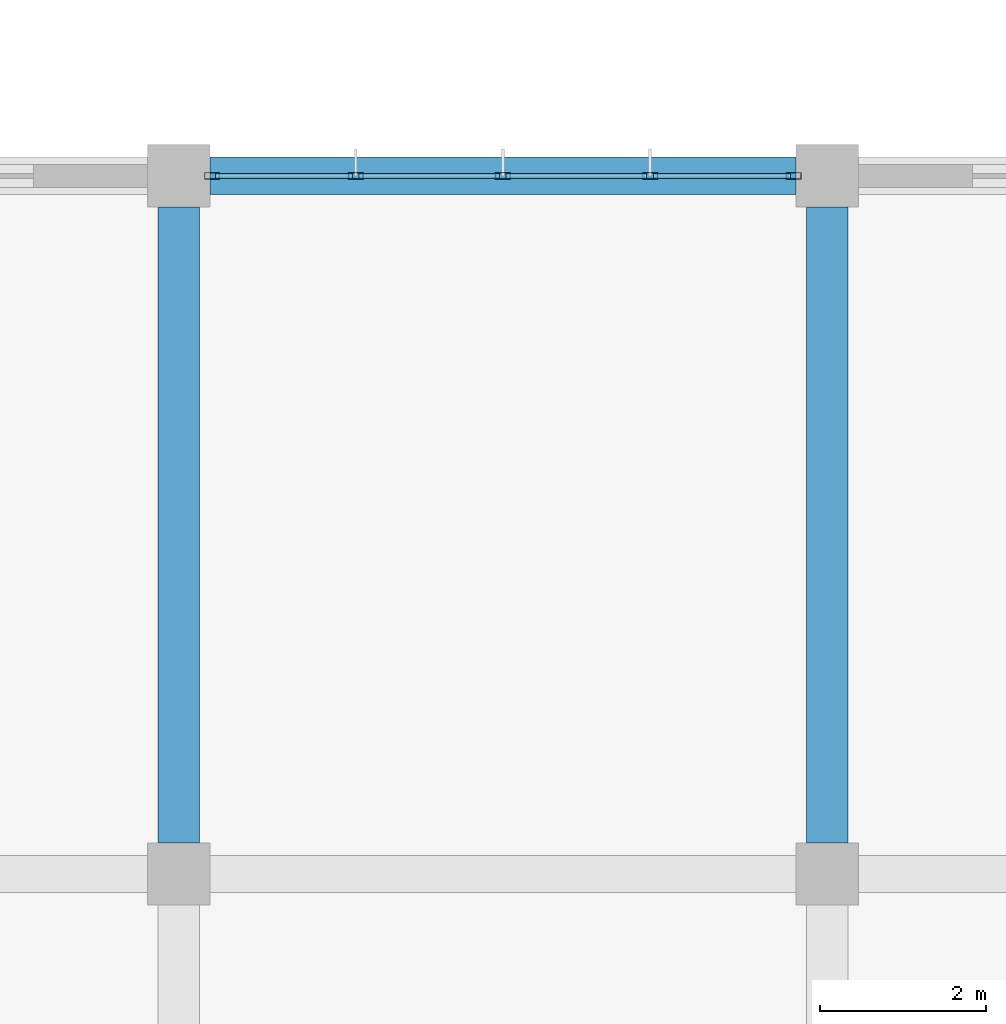
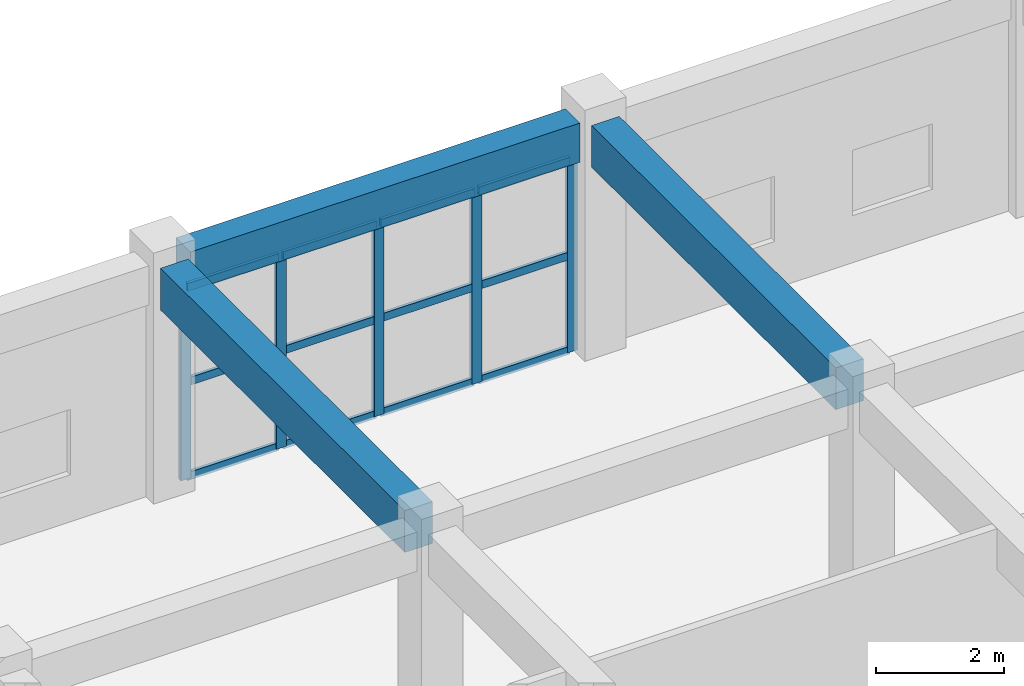
# One storey, part 124 of 175: 17 members, 3 beams, 1 element without a shape of its own.
"""IFC4 building model written with IfcOpenShell, lengths in metres."""

from ifc_helpers import new_model, si_unit, direction, frame, origin, origin_2d, place, context, subcontext, project, spatial, rectangle, hollow_rectangle, extrude, material, layer, layer_set, material_profile, profile_set, type_object, element, aggregate, save


model = new_model("IFC4")

# Units and contexts
model_context = context("Model", 3, precision=1e-05, world=origin(), true_north=direction((0.0, 1.0)))
body_context = subcontext(model_context, "Body", "Model", "MODEL_VIEW")
ifc_project = project(units=[si_unit("LENGTHUNIT", "METRE"), si_unit("AREAUNIT", "SQUARE_METRE"), si_unit("VOLUMEUNIT", "CUBIC_METRE"), si_unit("PLANEANGLEUNIT", "RADIAN"), si_unit("MASSUNIT", "GRAM", prefix="KILO")], contexts=[model_context])

# Site, building, storey
site_placement = place(None, origin())
site = spatial("IfcSite", under=ifc_project, at=site_placement, CompositionType="ELEMENT")
building_placement = place(site_placement, origin())
building = spatial("IfcBuilding", under=site, at=building_placement, Name="Zizhar Promenade General Hospital", CompositionType="ELEMENT")
storey_placement = place(building_placement, frame((0.0, 0.0, 4.800048828125)))
storey = spatial("IfcBuildingStorey", under=building, at=storey_placement, Name="L01", CompositionType="ELEMENT", Elevation=4.800048828125)

# Beams
ifc_material_1 = material(Name="Concrete C35/45", Category="concrete")
ifc_material_profile_1 = material_profile(ifc_material_1, rectangle(XDim=0.449951171875, YDim=0.75, at=origin_2d()))
ifc_profile_set_1 = profile_set([ifc_material_profile_1], Name="Concrete C35/45")
beam_type_1 = type_object("IfcBeamType", Name="BM-RC-450x750", PredefinedType="BEAM", material=ifc_profile_set_1)
beam_placement = place(storey_placement, frame((70.574951171875, 134.39990234375, 4.094970703125), z_axis=(1.0, 0.0, 0.0), x_axis=(0.0, 1.0, 0.0)))
element("IfcBeam", 1, at=beam_placement, inside=storey, type_object=beam_type_1, Name="Grid Beam X L01 (9-16)", PredefinedType="BEAM", context=body_context, shape_type="SweptSolid", body=[
    extrude(rectangle(XDim=0.449951171875, YDim=0.75, at=origin_2d()), origin(), (0.0, 0.0, 1.0), 7.050048828125),
])
ifc_material_2 = material(Name="Concrete C35/45", Category="concrete")
ifc_material_profile_2 = material_profile(ifc_material_2, rectangle(XDim=0.5, YDim=0.800048828125, at=origin_2d()))
ifc_profile_set_2 = profile_set([ifc_material_profile_2], Name="Concrete C35/45")
beam_type_2 = type_object("IfcBeamType", Name="BM-RC-500x800", PredefinedType="BEAM", material=ifc_profile_set_2)
for number, where, z_axis, x_axis, name in (
    (2, (70.199951171875, 126.375, 4.070068359375), (0.0, 1.0, 0.0), (-1.0, 0.0, 0.0), "Grid Beam Y L01 (9-15)"),
    (3, (78.0, 126.375, 4.070068359375), (0.0, 1.0, 0.0), (-1.0, 0.0, 0.0), "Grid Beam Y L01 (10-15)"),
):
    element("IfcBeam", number, at=place(storey_placement, frame(where, z_axis=z_axis, x_axis=x_axis)), inside=storey, type_object=beam_type_2, Name=name, PredefinedType="BEAM", context=body_context, shape_type="SweptSolid", body=[
        extrude(rectangle(XDim=0.5, YDim=0.800048828125, at=origin_2d()), origin(), (0.0, 0.0, 1.0), 7.64990234375),
    ])

# Curtain wall, members
ifc_material_3 = material(Name="Anodised aluminium 6063-T6 and low-E glass", Category="aluminium")
ifc_layer = layer(ifc_material_3, 0.159912109375)
ifc_layer_set = layer_set([ifc_layer], Name="Anodised aluminium 6063-T6 and low-E glass")
curtain_wall_type = type_object("IfcCurtainWallType", Name="CW-DT-MOD2", PredefinedType="NOTDEFINED", material=ifc_layer_set)
curtain_wall_placement = place(storey_placement, origin())
curtain_wall = element("IfcCurtainWall", 4, at=curtain_wall_placement, inside=storey, type_object=curtain_wall_type, Name="Surgical North Glazed Curtain Wall L01-9", PredefinedType="NOTDEFINED")
ifc_material_4 = material(Name="Anodised aluminium 6063-T6", Category="aluminium")
ifc_material_profile_3 = material_profile(ifc_material_4, hollow_rectangle(XDim=0.080078125, YDim=0.179931640625, WallThickness=0.0048828125, at=origin_2d()))
ifc_profile_set_3 = profile_set([ifc_material_profile_3], Name="Anodised aluminium 6063-T6")
member_type_1 = type_object("IfcMemberType", Name="CWM-ALU-180x80", PredefinedType="MULLION", material=ifc_profile_set_3)
member_1_placement = place(storey_placement, frame((70.60009765625, 134.39990234375, 0.0), z_axis=(0.0, 0.0, 1.0), x_axis=(0.0, 1.0, 0.0)))
member_1 = element("IfcMember", 5, at=member_1_placement, type_object=member_type_1, Name="CW-08 mullion 1", PredefinedType="MULLION", context=body_context, shape_type="SweptSolid", body=[
    extrude(hollow_rectangle(XDim=0.080078125, YDim=0.179931640625, WallThickness=0.0048828125, at=origin_2d()), origin(), (0.0, 0.0, 1.0), 3.679931640625),
])
member_2_placement = place(storey_placement, frame((72.330078125, 134.39990234375, 0.0), z_axis=(0.0, 0.0, 1.0), x_axis=(0.0, 1.0, 0.0)))
member_2 = element("IfcMember", 6, at=member_2_placement, type_object=member_type_1, Name="CW-08 mullion 2", PredefinedType="MULLION", context=body_context, shape_type="SweptSolid", body=[
    extrude(hollow_rectangle(XDim=0.080078125, YDim=0.179931640625, WallThickness=0.0048828125, at=origin_2d()), origin(), (0.0, 0.0, 1.0), 3.679931640625),
])
member_3_placement = place(storey_placement, frame((74.10009765625, 134.39990234375, 0.0), z_axis=(0.0, 0.0, 1.0), x_axis=(0.0, 1.0, 0.0)))
member_3 = element("IfcMember", 7, at=member_3_placement, type_object=member_type_1, Name="CW-08 mullion 3", PredefinedType="MULLION", context=body_context, shape_type="SweptSolid", body=[
    extrude(hollow_rectangle(XDim=0.080078125, YDim=0.179931640625, WallThickness=0.0048828125, at=origin_2d()), origin(), (0.0, 0.0, 1.0), 3.679931640625),
])
member_4_placement = place(storey_placement, frame((75.8701171875, 134.39990234375, 0.0), z_axis=(0.0, 0.0, 1.0), x_axis=(0.0, 1.0, 0.0)))
member_4 = element("IfcMember", 8, at=member_4_placement, type_object=member_type_1, Name="CW-08 mullion 4", PredefinedType="MULLION", context=body_context, shape_type="SweptSolid", body=[
    extrude(hollow_rectangle(XDim=0.080078125, YDim=0.179931640625, WallThickness=0.0048828125, at=origin_2d()), origin(), (0.0, 0.0, 1.0), 3.679931640625),
])
member_5_placement = place(storey_placement, frame((77.60009765625, 134.39990234375, 0.0), z_axis=(0.0, 0.0, 1.0), x_axis=(0.0, 1.0, 0.0)))
member_5 = element("IfcMember", 9, at=member_5_placement, type_object=member_type_1, Name="CW-08 mullion 5", PredefinedType="MULLION", context=body_context, shape_type="SweptSolid", body=[
    extrude(hollow_rectangle(XDim=0.080078125, YDim=0.179931640625, WallThickness=0.0048828125, at=origin_2d()), origin(), (0.0, 0.0, 1.0), 3.679931640625),
])
ifc_material_5 = material(Name="Anodised aluminium 6063-T6", Category="aluminium")
ifc_material_profile_4 = material_profile(ifc_material_5, hollow_rectangle(XDim=0.06005859375, YDim=0.14990234375, WallThickness=0.00390625, at=origin_2d()))
ifc_profile_set_4 = profile_set([ifc_material_profile_4], Name="Anodised aluminium 6063-T6")
member_type_2 = type_object("IfcMemberType", Name="CWT-ALU-150x60", PredefinedType="USERDEFINED", material=ifc_profile_set_4)
member_6_placement = place(storey_placement, frame((70.639892578125, 134.39990234375, 0.030029296875), z_axis=(1.0, 0.0, 0.0), x_axis=(0.0, 1.0, 0.0)))
member_6 = element("IfcMember", 10, at=member_6_placement, type_object=member_type_2, Name="CW-08 transom 1.1", ObjectType="TRANSOM", PredefinedType="USERDEFINED", context=body_context, shape_type="SweptSolid", body=[
    extrude(hollow_rectangle(XDim=0.06005859375, YDim=0.14990234375, WallThickness=0.00390625, at=origin_2d()), origin(), (0.0, 0.0, 1.0), 1.650146484375),
])
member_7_placement = place(storey_placement, frame((70.639892578125, 134.39990234375, 1.83984375), z_axis=(1.0, 0.0, 0.0), x_axis=(0.0, 1.0, 0.0)))
member_7 = element("IfcMember", 11, at=member_7_placement, type_object=member_type_2, Name="CW-08 transom 1.2", ObjectType="TRANSOM", PredefinedType="USERDEFINED", context=body_context, shape_type="SweptSolid", body=[
    extrude(hollow_rectangle(XDim=0.06005859375, YDim=0.14990234375, WallThickness=0.00390625, at=origin_2d()), origin(), (0.0, 0.0, 1.0), 1.650146484375),
])
member_8_placement = place(storey_placement, frame((70.639892578125, 134.39990234375, 3.64990234375), z_axis=(1.0, 0.0, 0.0), x_axis=(0.0, 1.0, 0.0)))
member_8 = element("IfcMember", 12, at=member_8_placement, type_object=member_type_2, Name="CW-08 transom 1.3", ObjectType="TRANSOM", PredefinedType="USERDEFINED", context=body_context, shape_type="SweptSolid", body=[
    extrude(hollow_rectangle(XDim=0.06005859375, YDim=0.14990234375, WallThickness=0.00390625, at=origin_2d()), origin(), (0.0, 0.0, 1.0), 1.650146484375),
])
member_9_placement = place(storey_placement, frame((72.3701171875, 134.39990234375, 0.030029296875), z_axis=(1.0, 0.0, 0.0), x_axis=(0.0, 1.0, 0.0)))
member_9 = element("IfcMember", 13, at=member_9_placement, type_object=member_type_2, Name="CW-08 transom 2.1", ObjectType="TRANSOM", PredefinedType="USERDEFINED", context=body_context, shape_type="SweptSolid", body=[
    extrude(hollow_rectangle(XDim=0.06005859375, YDim=0.14990234375, WallThickness=0.00390625, at=origin_2d()), origin(), (0.0, 0.0, 1.0), 1.68994140625),
])
member_10_placement = place(storey_placement, frame((72.3701171875, 134.39990234375, 1.83984375), z_axis=(1.0, 0.0, 0.0), x_axis=(0.0, 1.0, 0.0)))
member_10 = element("IfcMember", 14, at=member_10_placement, type_object=member_type_2, Name="CW-08 transom 2.2", ObjectType="TRANSOM", PredefinedType="USERDEFINED", context=body_context, shape_type="SweptSolid", body=[
    extrude(hollow_rectangle(XDim=0.06005859375, YDim=0.14990234375, WallThickness=0.00390625, at=origin_2d()), origin(), (0.0, 0.0, 1.0), 1.68994140625),
])
member_11_placement = place(storey_placement, frame((72.3701171875, 134.39990234375, 3.64990234375), z_axis=(1.0, 0.0, 0.0), x_axis=(0.0, 1.0, 0.0)))
member_11 = element("IfcMember", 15, at=member_11_placement, type_object=member_type_2, Name="CW-08 transom 2.3", ObjectType="TRANSOM", PredefinedType="USERDEFINED", context=body_context, shape_type="SweptSolid", body=[
    extrude(hollow_rectangle(XDim=0.06005859375, YDim=0.14990234375, WallThickness=0.00390625, at=origin_2d()), origin(), (0.0, 0.0, 1.0), 1.68994140625),
])
member_12_placement = place(storey_placement, frame((74.139892578125, 134.39990234375, 0.030029296875), z_axis=(1.0, 0.0, 0.0), x_axis=(0.0, 1.0, 0.0)))
member_12 = element("IfcMember", 16, at=member_12_placement, type_object=member_type_2, Name="CW-08 transom 3.1", ObjectType="TRANSOM", PredefinedType="USERDEFINED", context=body_context, shape_type="SweptSolid", body=[
    extrude(hollow_rectangle(XDim=0.06005859375, YDim=0.14990234375, WallThickness=0.00390625, at=origin_2d()), origin(), (0.0, 0.0, 1.0), 1.690185546875),
])
member_13_placement = place(storey_placement, frame((74.139892578125, 134.39990234375, 1.83984375), z_axis=(1.0, 0.0, 0.0), x_axis=(0.0, 1.0, 0.0)))
member_13 = element("IfcMember", 17, at=member_13_placement, type_object=member_type_2, Name="CW-08 transom 3.2", ObjectType="TRANSOM", PredefinedType="USERDEFINED", context=body_context, shape_type="SweptSolid", body=[
    extrude(hollow_rectangle(XDim=0.06005859375, YDim=0.14990234375, WallThickness=0.00390625, at=origin_2d()), origin(), (0.0, 0.0, 1.0), 1.690185546875),
])
member_14_placement = place(storey_placement, frame((74.139892578125, 134.39990234375, 3.64990234375), z_axis=(1.0, 0.0, 0.0), x_axis=(0.0, 1.0, 0.0)))
member_14 = element("IfcMember", 18, at=member_14_placement, type_object=member_type_2, Name="CW-08 transom 3.3", ObjectType="TRANSOM", PredefinedType="USERDEFINED", context=body_context, shape_type="SweptSolid", body=[
    extrude(hollow_rectangle(XDim=0.06005859375, YDim=0.14990234375, WallThickness=0.00390625, at=origin_2d()), origin(), (0.0, 0.0, 1.0), 1.690185546875),
])
member_15_placement = place(storey_placement, frame((75.909912109375, 134.39990234375, 0.030029296875), z_axis=(1.0, 0.0, 0.0), x_axis=(0.0, 1.0, 0.0)))
member_15 = element("IfcMember", 19, at=member_15_placement, type_object=member_type_2, Name="CW-08 transom 4.1", ObjectType="TRANSOM", PredefinedType="USERDEFINED", context=body_context, shape_type="SweptSolid", body=[
    extrude(hollow_rectangle(XDim=0.06005859375, YDim=0.14990234375, WallThickness=0.00390625, at=origin_2d()), origin(), (0.0, 0.0, 1.0), 1.650146484375),
])
member_16_placement = place(storey_placement, frame((75.909912109375, 134.39990234375, 1.83984375), z_axis=(1.0, 0.0, 0.0), x_axis=(0.0, 1.0, 0.0)))
member_16 = element("IfcMember", 20, at=member_16_placement, type_object=member_type_2, Name="CW-08 transom 4.2", ObjectType="TRANSOM", PredefinedType="USERDEFINED", context=body_context, shape_type="SweptSolid", body=[
    extrude(hollow_rectangle(XDim=0.06005859375, YDim=0.14990234375, WallThickness=0.00390625, at=origin_2d()), origin(), (0.0, 0.0, 1.0), 1.650146484375),
])
member_17_placement = place(storey_placement, frame((75.909912109375, 134.39990234375, 3.64990234375), z_axis=(1.0, 0.0, 0.0), x_axis=(0.0, 1.0, 0.0)))
member_17 = element("IfcMember", 21, at=member_17_placement, type_object=member_type_2, Name="CW-08 transom 4.3", ObjectType="TRANSOM", PredefinedType="USERDEFINED", context=body_context, shape_type="SweptSolid", body=[
    extrude(hollow_rectangle(XDim=0.06005859375, YDim=0.14990234375, WallThickness=0.00390625, at=origin_2d()), origin(), (0.0, 0.0, 1.0), 1.650146484375),
])
aggregate(curtain_wall, [member_1, member_2, member_3, member_4, member_5, member_6, member_7, member_8, member_9, member_10, member_11, member_12, member_13, member_14, member_15, member_16, member_17])

save(model, "model.ifc")
